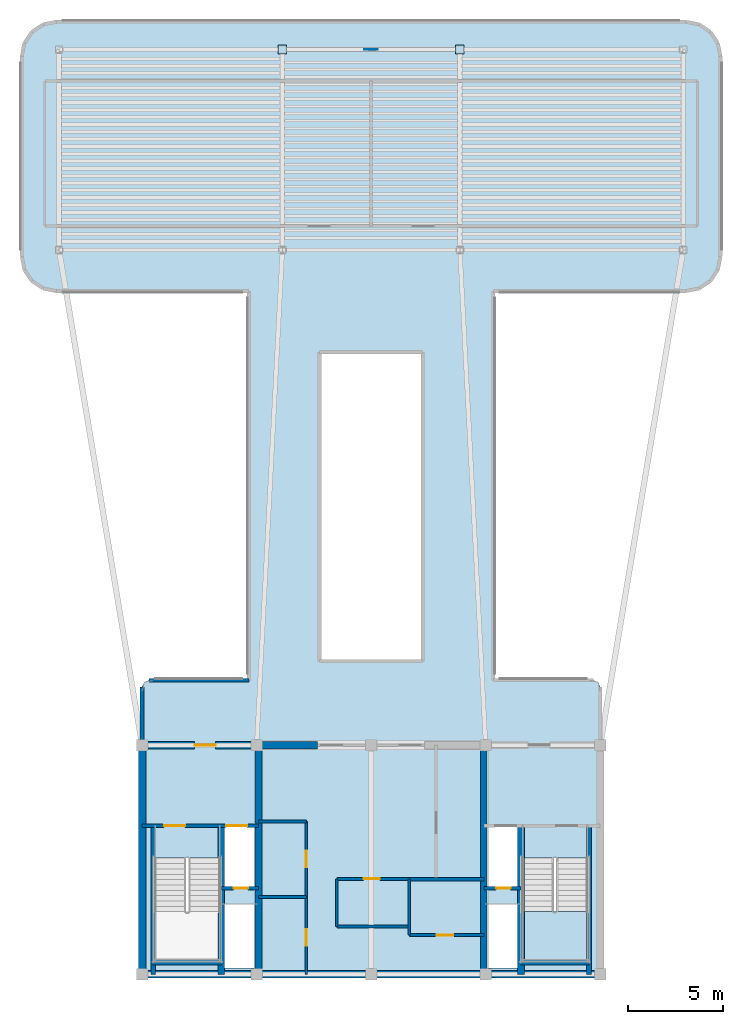
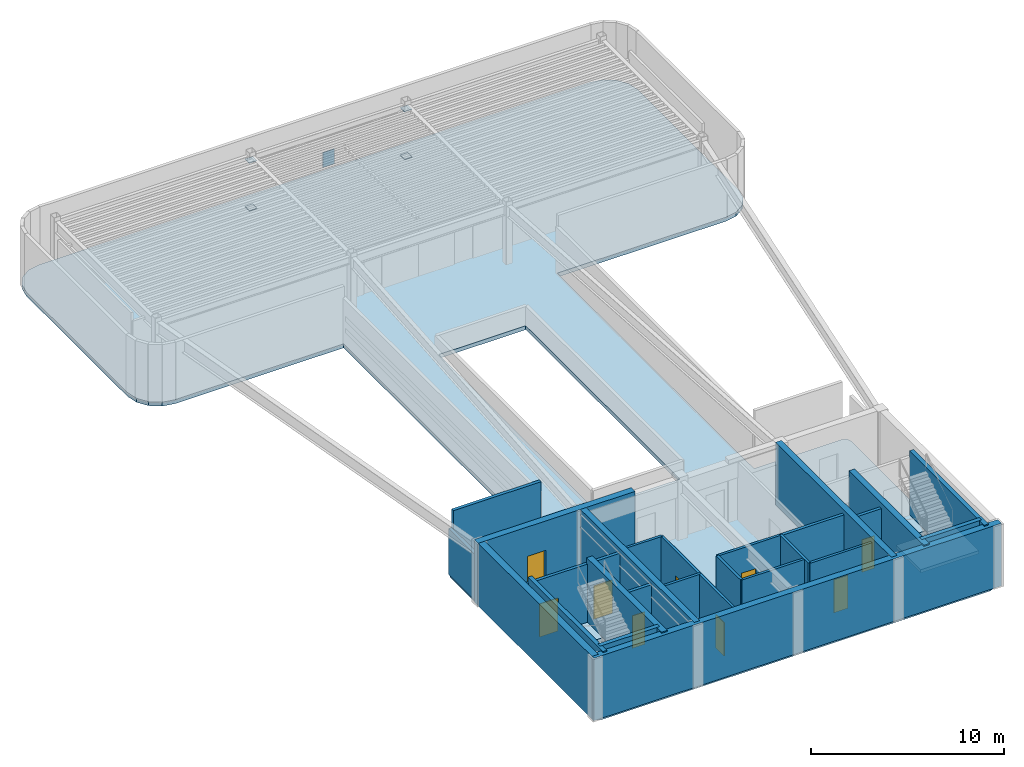
# One storey, part 2 of 6: 25 walls, 9 doors, 5 plates, 2 slabs, 9 openings, 1 element without a shape of its own.
"""IFC4 building model written with IfcOpenShell, lengths in metres."""

from ifc_helpers import new_model, si_unit, direction, frame, frame_2d, origin, origin_2d, place, context, subcontext, project, spatial, polyline, rectangle, outline, extrude, source, transform, mapped, material, layer, layer_set, type_object, element, fill, aggregate, save


model = new_model("IFC4")

# Units and contexts
model_context = context("Model", 3, precision=1e-05, world=origin(), true_north=direction((0.0, 1.0)))
body_context = subcontext(model_context, "Body", "Model", "MODEL_VIEW")
ifc_project = project(units=[si_unit("LENGTHUNIT", "METRE"), si_unit("AREAUNIT", "SQUARE_METRE"), si_unit("VOLUMEUNIT", "CUBIC_METRE"), si_unit("PLANEANGLEUNIT", "RADIAN"), si_unit("MASSUNIT", "GRAM", prefix="KILO")], contexts=[model_context])

# Site, building, storey
site_placement = place(None, origin())
site = spatial("IfcSite", under=ifc_project, at=site_placement, CompositionType="ELEMENT")
building_placement = place(site_placement, origin())
building = spatial("IfcBuilding", under=site, at=building_placement, Name="Brelvock Crest Care Tower", CompositionType="ELEMENT")
storey_placement = place(building_placement, frame((0.0, 0.0, 299.8798828125)))
storey = spatial("IfcBuildingStorey", under=building, at=storey_placement, Name="L76", CompositionType="ELEMENT", Elevation=299.8798828125)

# Slab
ifc_material_1 = material(Name="Concrete N50 (50 MPa)", Category="concrete")
ifc_layer_1 = layer(ifc_material_1, 0.25, Name="SLB-FL3")
ifc_layer_set_1 = layer_set([ifc_layer_1], Name="Concrete N50 (50 MPa)")
slab_type_1 = type_object("IfcSlabType", Name="SLB-FL3", PredefinedType="FLOOR", material=ifc_layer_set_1)
slab_1_placement = place(storey_placement, frame((0.0, 0.0, -0.25)))
element("IfcSlab", 1, at=slab_1_placement, inside=storey, type_object=slab_type_1, Name="L76 Main Structural Slab", PredefinedType="FLOOR", context=body_context, shape_type="SweptSolid", body=[
    extrude(outline(polyline([(42.39990234375, 21.39990234375), (42.39990234375, 41.800048828125), (52.5, 41.800048828125), (53.188720703125, 41.93701171875), (53.772705078125, 42.3271484375), (54.1630859375, 42.9111328125), (54.300048828125, 43.60009765625), (54.300048828125, 54.10009765625), (54.1630859375, 54.788818359375), (53.772705078125, 55.372802734375), (53.188720703125, 55.762939453125), (52.5, 55.89990234375), (19.5, 55.89990234375), (18.811279296875, 55.762939453125), (18.227294921875, 55.372802734375), (17.8369140625, 54.788818359375), (17.699951171875, 54.10009765625), (17.699951171875, 43.60009765625), (17.8369140625, 42.9111328125), (18.227294921875, 42.3271484375), (18.811279296875, 41.93701171875), (19.5, 41.800048828125), (29.60009765625, 41.800048828125), (29.60009765625, 21.39990234375), (24.35009765625, 21.39990234375), (24.1025390625, 21.297607421875), (24.0, 21.050048828125), (24.0, 6.35009765625), (24.1025390625, 6.1025390625), (24.35009765625, 6.0), (47.64990234375, 6.0), (47.8974609375, 6.1025390625), (48.0, 6.35009765625), (48.0, 21.050048828125), (47.8974609375, 21.297607421875), (47.64990234375, 21.39990234375), (42.39990234375, 21.39990234375)]), holes=[polyline([(28.239990234375, 10.580078125), (29.97998046875, 10.580078125), (29.97998046875, 13.739990234375), (28.239990234375, 13.739990234375), (28.239990234375, 10.580078125)]), polyline([(42.02001953125, 10.580078125), (43.760009765625, 10.580078125), (43.760009765625, 13.739990234375), (42.02001953125, 13.739990234375), (42.02001953125, 10.580078125)]), polyline([(28.239990234375, 6.340087890625), (29.97998046875, 6.340087890625), (29.97998046875, 9.64990234375), (28.239990234375, 9.64990234375), (28.239990234375, 6.340087890625)]), polyline([(24.6298828125, 12.080078125), (24.6298828125, 6.699951171875), (28.110107421875, 6.699951171875), (28.110107421875, 12.080078125), (24.6298828125, 12.080078125)]), polyline([(43.889892578125, 12.080078125), (43.889892578125, 6.699951171875), (47.3701171875, 6.699951171875), (47.3701171875, 12.080078125), (43.889892578125, 12.080078125)]), polyline([(42.02001953125, 6.340087890625), (43.760009765625, 6.340087890625), (43.760009765625, 9.64990234375), (42.02001953125, 9.64990234375), (42.02001953125, 6.340087890625)]), polyline([(33.39990234375, 22.5), (38.60009765625, 22.5), (38.60009765625, 38.5), (33.39990234375, 38.5), (33.39990234375, 22.5)])]), origin(), (0.0, 0.0, 1.0), 0.25),
])

# Stair, slab
ifc_material_2 = material(Name="Concrete N40 (40 MPa)", Category="concrete")
stair_type = type_object("IfcStairType", Name="ST-CORE1", PredefinedType="HALF_TURN_STAIR", material=ifc_material_2)
stair_placement = place(storey_placement, origin())
stair = element("IfcStair", 2, at=stair_placement, inside=storey, type_object=stair_type, Name="L76 Fire-Isolated Core Stair ST-2", PredefinedType="HALF_TURN_STAIR")
ifc_layer_2 = layer(ifc_material_2, 0.199951171875, Name="STL-1")
ifc_layer_set_2 = layer_set([ifc_layer_2], Name="Concrete N40 (40 MPa)")
slab_type_2 = type_object("IfcSlabType", Name="STL-1", PredefinedType="LANDING", material=ifc_layer_set_2)
slab_2_placement = place(storey_placement, frame((0.0, 0.0, 1.780029296875)))
slab_2 = element("IfcSlab", 3, at=slab_2_placement, type_object=slab_type_2, Name="ST-2 landing 1", PredefinedType="LANDING", context=body_context, shape_type="SweptSolid", body=[
    extrude(outline(polyline([(43.889892578125, 9.280029296875), (43.889892578125, 6.699951171875), (47.3701171875, 6.699951171875), (47.3701171875, 9.280029296875), (43.889892578125, 9.280029296875)])), origin(), (0.0, 0.0, 1.0), 0.2001953125),
])
aggregate(stair, [slab_2])

# Plates
ifc_material_3 = material(Name="Steel Grade 350", Category="steel")
plate_type_1 = type_object("IfcPlateType", Name="PLT-EC3", PredefinedType="USERDEFINED", material=ifc_material_3)
shared_shape_1 = source(origin(), body_context, "Body", "SweptSolid", [
    extrude(rectangle(XDim=0.449951171875, YDim=0.449951171875, at=origin_2d()), origin(), (0.0, 0.0, 1.0), 0.02490234375),
])
for number, where, z_axis, x_axis, name in (
    (4, (31.35009765625, 54.449951171875, 0.337646484375), (0.0, 0.0, 1.0), (1.0, 0.0, 0.0), "PLT-WPC1-L76"),
    (5, (40.64990234375, 54.449951171875, 0.337646484375), (0.0, 0.0, 1.0), (1.0, 0.0, 0.0), "PLT-WPC2-L76"),
    (6, (40.64990234375, 54.449951171875, 3.34765625), (0.0, 0.0, 1.0), (1.0, 0.0, 0.0), "PLT-WPC3-L76"),
    (7, (31.35009765625, 54.449951171875, 3.34765625), (0.0, 0.0, 1.0), (1.0, 0.0, 0.0), "PLT-WPC4-L76"),
):
    element("IfcPlate", number, at=place(storey_placement, frame(where, z_axis=z_axis, x_axis=x_axis)), inside=storey, type_object=plate_type_1, Name=name, ObjectType="FLANGE_PLATE", PredefinedType="USERDEFINED", context=body_context, shape_type="MappedRepresentation", body=[
        mapped(shared_shape_1, transform((0.0, 0.0, 0.0), x_axis=(1.0, 0.0, 0.0), y_axis=(0.0, 1.0, 0.0), z_axis=(0.0, 0.0, 1.0), scale=1.0)),
    ])
plate_type_2 = type_object("IfcPlateType", Name="PLT-WPN1", PredefinedType="USERDEFINED", material=ifc_material_3)
shared_shape_2 = source(origin(), body_context, "Body", "SweptSolid", [
    extrude(rectangle(XDim=0.699951171875, YDim=0.031982421875, at=origin_2d()), origin(), (0.0, 0.0, 1.0), 0.949951171875),
])
plate_placement = place(storey_placement, frame((36.0, 54.449951171875, 1.38037109375), z_axis=(0.0, 0.0, 1.0), x_axis=(1.0, 0.0, 0.0)))
element("IfcPlate", 8, at=plate_placement, inside=storey, type_object=plate_type_2, Name="PLT-WPN-L76", ObjectType="GUSSET", PredefinedType="USERDEFINED", context=body_context, shape_type="MappedRepresentation", body=[
    mapped(shared_shape_2, transform((0.0, 0.0, 0.0), x_axis=(1.0, 0.0, 0.0), y_axis=(0.0, 1.0, 0.0), z_axis=(0.0, 0.0, 1.0), scale=1.0)),
])

# Walls
ifc_material_4 = material(Name="Concrete S65 (65 MPa)", Category="concrete")
ifc_layer_3 = layer(ifc_material_4, 0.39990234375, Name="WL-CS4")
ifc_layer_set_3 = layer_set([ifc_layer_3], Name="Concrete S65 (65 MPa)")
wall_type_1 = type_object("IfcWallType", Name="WL-CS4", PredefinedType="SHEAR", material=ifc_layer_set_3)
wall_1_placement = place(storey_placement, frame((48.199951171875, 6.0, 0.0), z_axis=(0.0, 0.0, 1.0), x_axis=(-1.0, 0.0, 0.0)))
element("IfcWall", 9, at=wall_1_placement, inside=storey, type_object=wall_type_1, Name="L76 Core South Shear Wall", PredefinedType="SHEAR", context=body_context, shape_type="SweptSolid", body=[
    extrude(rectangle(XDim=24.39990234375, YDim=0.39990234375, at=frame_2d((12.199951171875, 0.0))), origin(), (0.0, 0.0, 1.0), 3.960205078125),
])
wall_2_placement = place(storey_placement, frame((24.0, 6.0, 0.0), z_axis=(0.0, 0.0, 1.0), x_axis=(0.0, 1.0, 0.0)))
element("IfcWall", 10, at=wall_2_placement, inside=storey, type_object=wall_type_1, Name="L76 Core West Shear Wall", PredefinedType="SHEAR", context=body_context, shape_type="SweptSolid", body=[
    extrude(rectangle(XDim=12.0, YDim=0.39990234375, at=frame_2d((6.0, 0.0))), origin(), (0.0, 0.0, 1.0), 3.960205078125),
])

# Wall, opening, door
wall_3_placement = place(storey_placement, frame((23.800048828125, 18.0, 0.0), z_axis=(0.0, 0.0, 1.0), x_axis=(1.0, 0.0, 0.0)))
wall_3 = element("IfcWall", 11, at=wall_3_placement, inside=storey, type_object=wall_type_1, Name="L76 Core North-West Shear Wall", PredefinedType="SHEAR", context=body_context, shape_type="SweptSolid", body=[
    extrude(rectangle(XDim=9.39990234375, YDim=0.39990234375, at=frame_2d((4.699951171875, 0.0))), origin(), (0.0, 0.0, 1.0), 3.960205078125),
])
opening_1_placement = place(wall_3_placement, frame((2.949951171875, 0.0, 0.0)))
opening_1 = element("IfcOpeningElement", 12, at=opening_1_placement, cuts=wall_3, Name="Opening FD-1", PredefinedType="OPENING", context=body_context, shape_type="SweptSolid", body=[
    extrude(rectangle(XDim=1.10009765625, YDim=2.10009765625, at=origin_2d()), frame((0.550048828125, 0.2099609375, 1.050048828125), z_axis=(0.0, -1.0, 0.0), x_axis=(1.0, 0.0, 0.0)), (0.0, 0.0, 1.0), 0.419921875),
])
door_type_1 = type_object("IfcDoorType", Name="DR-FFL1", OperationType="NOTDEFINED", PredefinedType="DOOR", material=ifc_material_3)
shared_shape_3 = source(origin(), body_context, "Body", "SweptSolid", [
    extrude(rectangle(XDim=1.10009765625, YDim=2.10009765625, at=origin_2d()), frame((0.550048828125, 0.02490234375, 1.050048828125), z_axis=(0.0, -1.0, 0.0), x_axis=(1.0, 0.0, 0.0)), (0.0, 0.0, 1.0), 0.050048828125),
])
door_1_placement = place(opening_1_placement, origin())
door_1 = element("IfcDoor", 13, at=door_1_placement, inside=storey, type_object=door_type_1, Name="L76 Firefighting Lobby FFL-1 Exit Door", OperationType="SINGLE_SWING_LEFT", OverallHeight=2.10009765625, OverallWidth=1.10009765625, PredefinedType="DOOR", context=body_context, shape_type="MappedRepresentation", body=[
    mapped(shared_shape_3, transform((0.0, 0.0, 0.0), x_axis=(1.0, 0.0, 0.0), y_axis=(0.0, 1.0, 0.0), z_axis=(0.0, 0.0, 1.0), scale=1.0)),
])
fill(opening_1, door_1)

# Walls
ifc_material_5 = material(Name="Concrete S80 (80 MPa)", Category="concrete")
ifc_layer_4 = layer(ifc_material_5, 0.35009765625, Name="WL-CS5")
ifc_layer_set_4 = layer_set([ifc_layer_4], Name="Concrete S80 (80 MPa)")
wall_type_2 = type_object("IfcWallType", Name="WL-CS5", PredefinedType="SHEAR", material=ifc_layer_set_4)
for number, where, z_axis, x_axis, name in (
    (14, (30.10009765625, 6.0, 0.0), (0.0, 0.0, 1.0), (0.0, 1.0, 0.0), "L76 Core Internal Web Wall West"),
    (15, (41.89990234375, 18.0, 0.0), (0.0, 0.0, 1.0), (0.0, -1.0, 0.0), "L76 Core Internal Web Wall East"),
):
    element("IfcWall", number, at=place(storey_placement, frame(where, z_axis=z_axis, x_axis=x_axis)), inside=storey, type_object=wall_type_2, Name=name, PredefinedType="SHEAR", context=body_context, shape_type="SweptSolid", body=[
        extrude(rectangle(XDim=12.0, YDim=0.35009765625, at=frame_2d((6.0, 0.0))), origin(), (0.0, 0.0, 1.0), 3.960205078125),
    ])
for number, where, z_axis, x_axis, name in (
    (16, (28.14990234375, 6.0, 0.0), (0.0, 0.0, 1.0), (0.0, 1.0, 0.0), "L76 Core Stair ST-1 East Shear Wall"),
    (17, (43.85009765625, 6.0, 0.0), (0.0, 0.0, 1.0), (0.0, 1.0, 0.0), "L76 Core Stair ST-2 West Shear Wall"),
):
    element("IfcWall", number, at=place(storey_placement, frame(where, z_axis=z_axis, x_axis=x_axis)), inside=storey, type_object=wall_type_2, Name=name, PredefinedType="SHEAR", context=body_context, shape_type="SweptSolid", body=[
        extrude(rectangle(XDim=7.780029296875, YDim=0.35009765625, at=frame_2d((3.89013671875, 0.0))), origin(), (0.0, 0.0, 1.0), 4.030029296875),
    ])
ifc_layer_5 = layer(ifc_material_5, 0.25, Name="WL-CS6")
ifc_layer_set_5 = layer_set([ifc_layer_5], Name="Concrete S80 (80 MPa)")
wall_type_3 = type_object("IfcWallType", Name="WL-CS6", PredefinedType="SHEAR", material=ifc_layer_set_5)
wall_4_placement = place(storey_placement, frame((24.580078125, 6.0, 0.0), z_axis=(0.0, 0.0, 1.0), x_axis=(0.0, 1.0, 0.0)))
element("IfcWall", 18, at=wall_4_placement, inside=storey, type_object=wall_type_3, Name="L76 Core Stair ST-1 West Shear Wall", PredefinedType="SHEAR", context=body_context, shape_type="SweptSolid", body=[
    extrude(rectangle(XDim=7.780029296875, YDim=0.25, at=frame_2d((3.89013671875, 0.0))), origin(), (0.0, 0.0, 1.0), 4.030029296875),
])
wall_5_placement = place(storey_placement, frame((24.580078125, 6.6201171875, 0.0), z_axis=(0.0, 0.0, 1.0), x_axis=(1.0, 0.0, 0.0)))
element("IfcWall", 19, at=wall_5_placement, inside=storey, type_object=wall_type_3, Name="L76 Core Stair ST-1 South Shear Wall", PredefinedType="SHEAR", context=body_context, shape_type="SweptSolid", body=[
    extrude(rectangle(XDim=3.56982421875, YDim=0.25, at=frame_2d((1.784912109375, 0.0))), origin(), (0.0, 0.0, 1.0), 4.030029296875),
])
wall_6_placement = place(storey_placement, frame((47.419921875, 6.0, 0.0), z_axis=(0.0, 0.0, 1.0), x_axis=(0.0, 1.0, 0.0)))
element("IfcWall", 20, at=wall_6_placement, inside=storey, type_object=wall_type_3, Name="L76 Core Stair ST-2 East Shear Wall", PredefinedType="SHEAR", context=body_context, shape_type="SweptSolid", body=[
    extrude(rectangle(XDim=7.780029296875, YDim=0.25, at=frame_2d((3.89013671875, 0.0))), origin(), (0.0, 0.0, 1.0), 4.030029296875),
])
wall_7_placement = place(storey_placement, frame((43.85009765625, 6.6201171875, 0.0), z_axis=(0.0, 0.0, 1.0), x_axis=(1.0, 0.0, 0.0)))
element("IfcWall", 21, at=wall_7_placement, inside=storey, type_object=wall_type_3, Name="L76 Core Stair ST-2 South Shear Wall", PredefinedType="SHEAR", context=body_context, shape_type="SweptSolid", body=[
    extrude(rectangle(XDim=3.56982421875, YDim=0.25, at=frame_2d((1.784912109375, 0.0))), origin(), (0.0, 0.0, 1.0), 4.030029296875),
])
ifc_material_6 = material(Name="Precast concrete N40 (40 MPa)", Category="concrete")
ifc_layer_6 = layer(ifc_material_6, 0.195068359375, Name="WL-EX3")
ifc_layer_set_6 = layer_set([ifc_layer_6], Name="Precast concrete N40 (40 MPa)")
wall_type_4 = type_object("IfcWallType", Name="WL-EX3", PredefinedType="SOLIDWALL", material=ifc_layer_set_6)
wall_8_placement = place(storey_placement, frame((24.0, 18.280029296875, 0.0), z_axis=(0.0, 0.0, 1.0), x_axis=(0.0, 1.0, 0.0)))
element("IfcWall", 22, at=wall_8_placement, inside=storey, type_object=wall_type_4, Name="L76 Crown and Plant Cladding Wall 08", PredefinedType="SOLIDWALL", context=body_context, shape_type="SweptSolid", body=[
    extrude(rectangle(XDim=2.77001953125, YDim=0.195068359375, at=frame_2d((1.385009765625, 0.0))), origin(), (0.0, 0.0, 1.0), 2.898193359375),
])
wall_9_placement = place(storey_placement, frame((24.35009765625, 21.39990234375, 0.0), z_axis=(0.0, 0.0, 1.0), x_axis=(1.0, 0.0, 0.0)))
element("IfcWall", 23, at=wall_9_placement, inside=storey, type_object=wall_type_4, Name="L76 Crown and Plant Cladding Wall 11", PredefinedType="SOLIDWALL", context=body_context, shape_type="SweptSolid", body=[
    extrude(rectangle(XDim=5.25, YDim=0.195068359375, at=frame_2d((2.625, 0.0))), origin(), (0.0, 0.0, 1.0), 3.710205078125),
])
ifc_material_7 = material(Name="Masonry Blockwork Acoustic Partition", Category="masonry")
ifc_layer_7 = layer(ifc_material_7, 0.14990234375, Name="WL-INT1")
ifc_layer_set_7 = layer_set([ifc_layer_7], Name="Masonry Blockwork Acoustic Partition")
wall_type_5 = type_object("IfcWallType", Name="WL-INT1", PredefinedType="PARTITIONING", material=ifc_layer_set_7)
wall_10_placement = place(storey_placement, frame((30.10009765625, 14.0, 0.0), z_axis=(0.0, 0.0, 1.0), x_axis=(1.0, 0.0, 0.0)))
element("IfcWall", 24, at=wall_10_placement, inside=storey, type_object=wall_type_5, Name="L76 Interior Wall WL-CRCL-N1-L76", PredefinedType="PARTITIONING", context=body_context, shape_type="SweptSolid", body=[
    extrude(rectangle(XDim=2.5, YDim=0.14990234375, at=frame_2d((1.25, 0.0))), origin(), (0.0, 0.0, 1.0), 3.68017578125),
])
wall_11_placement = place(storey_placement, frame((34.199951171875, 8.5, 0.0), z_axis=(0.0, 0.0, 1.0), x_axis=(1.0, 0.0, 0.0)))
element("IfcWall", 25, at=wall_11_placement, inside=storey, type_object=wall_type_5, Name="L76 Interior Wall WL-CRCM-SW-L76", PredefinedType="PARTITIONING", context=body_context, shape_type="SweptSolid", body=[
    extrude(rectangle(XDim=3.800048828125, YDim=0.14990234375, at=frame_2d((1.89990234375, 0.0))), origin(), (0.0, 0.0, 1.0), 3.68017578125),
])

# Wall, opening, door
wall_12_placement = place(storey_placement, frame((38.0, 8.050048828125, 0.0), z_axis=(0.0, 0.0, 1.0), x_axis=(1.0, 0.0, 0.0)))
wall_12 = element("IfcWall", 26, at=wall_12_placement, inside=storey, type_object=wall_type_5, Name="L76 Interior Wall WL-CRCM-SE-L76", PredefinedType="PARTITIONING", context=body_context, shape_type="SweptSolid", body=[
    extrude(rectangle(XDim=3.89990234375, YDim=0.14990234375, at=frame_2d((1.949951171875, 0.0))), origin(), (0.0, 0.0, 1.0), 3.68017578125),
])
opening_2_placement = place(wall_12_placement, frame((1.449951171875, 0.0, 0.0)))
opening_2 = element("IfcOpeningElement", 27, at=opening_2_placement, cuts=wall_12, Name="Opening ID-1", PredefinedType="OPENING", context=body_context, shape_type="SweptSolid", body=[
    extrude(rectangle(XDim=0.860107421875, YDim=2.10009765625, at=origin_2d()), frame((0.43017578125, 0.0849609375, 1.050048828125), z_axis=(0.0, -1.0, 0.0), x_axis=(1.0, 0.0, 0.0)), (0.0, 0.0, 1.0), 0.169921875),
])
ifc_material_8 = material(Name="Engineered Hardwood Timber", Category="wood")
door_type_2 = type_object("IfcDoorType", Name="DR-INT1", OperationType="NOTDEFINED", PredefinedType="DOOR", material=ifc_material_8)
shared_shape_4 = source(origin(), body_context, "Body", "SweptSolid", [
    extrude(rectangle(XDim=0.860107421875, YDim=2.10009765625, at=origin_2d()), frame((0.43017578125, 0.02490234375, 1.050048828125), z_axis=(0.0, -1.0, 0.0), x_axis=(1.0, 0.0, 0.0)), (0.0, 0.0, 1.0), 0.050048828125),
])
door_2_placement = place(opening_2_placement, origin())
door_2 = element("IfcDoor", 28, at=door_2_placement, inside=storey, type_object=door_type_2, Name="DR-CRCM2-L76", OperationType="SINGLE_SWING_LEFT", OverallHeight=2.10009765625, OverallWidth=0.860107421875, PredefinedType="DOOR", context=body_context, shape_type="MappedRepresentation", body=[
    mapped(shared_shape_4, transform((0.0, 0.0, 0.0), x_axis=(1.0, 0.0, 0.0), y_axis=(0.0, 1.0, 0.0), z_axis=(0.0, 0.0, 1.0), scale=1.0)),
])
fill(opening_2, door_2)

# Walls
wall_13_placement = place(storey_placement, frame((34.199951171875, 8.5, 0.0), z_axis=(0.0, 0.0, 1.0), x_axis=(0.0, 1.0, 0.0)))
element("IfcWall", 29, at=wall_13_placement, inside=storey, type_object=wall_type_5, Name="L76 Interior Wall WL-CRCM-W-L76", PredefinedType="PARTITIONING", context=body_context, shape_type="SweptSolid", body=[
    extrude(rectangle(XDim=2.5, YDim=0.14990234375, at=frame_2d((1.25, 0.0))), origin(), (0.0, 0.0, 1.0), 3.68017578125),
])
wall_14_placement = place(storey_placement, frame((38.0, 8.050048828125, 0.0), z_axis=(0.0, 0.0, 1.0), x_axis=(0.0, 1.0, 0.0)))
element("IfcWall", 30, at=wall_14_placement, inside=storey, type_object=wall_type_5, Name="L76 Interior Wall WL-CRCM-V-L76", PredefinedType="PARTITIONING", context=body_context, shape_type="SweptSolid", body=[
    extrude(rectangle(XDim=2.949951171875, YDim=0.14990234375, at=frame_2d((1.47509765625, 0.0))), origin(), (0.0, 0.0, 1.0), 3.68017578125),
])

# Wall, opening, door
wall_15_placement = place(storey_placement, frame((34.199951171875, 11.0, 0.0), z_axis=(0.0, 0.0, 1.0), x_axis=(1.0, 0.0, 0.0)))
wall_15 = element("IfcWall", 31, at=wall_15_placement, inside=storey, type_object=wall_type_5, Name="L76 Interior Wall WL-CRCM-NW-L76", PredefinedType="PARTITIONING", context=body_context, shape_type="SweptSolid", body=[
    extrude(rectangle(XDim=3.800048828125, YDim=0.14990234375, at=frame_2d((1.89990234375, 0.0))), origin(), (0.0, 0.0, 1.0), 3.68017578125),
])
opening_3_placement = place(wall_15_placement, frame((1.39990234375, 0.0, 0.0)))
opening_3 = element("IfcOpeningElement", 32, at=opening_3_placement, cuts=wall_15, Name="Opening ID-1", PredefinedType="OPENING", context=body_context, shape_type="SweptSolid", body=[
    extrude(rectangle(XDim=0.860107421875, YDim=2.10009765625, at=origin_2d()), frame((0.43017578125, 0.0849609375, 1.050048828125), z_axis=(0.0, -1.0, 0.0), x_axis=(1.0, 0.0, 0.0)), (0.0, 0.0, 1.0), 0.169921875),
])
door_3_placement = place(opening_3_placement, origin())
door_3 = element("IfcDoor", 33, at=door_3_placement, inside=storey, type_object=door_type_2, Name="DR-CRCM1-L76", OperationType="SINGLE_SWING_LEFT", OverallHeight=2.10009765625, OverallWidth=0.860107421875, PredefinedType="DOOR", context=body_context, shape_type="MappedRepresentation", body=[
    mapped(shared_shape_4, transform((0.0, 0.0, 0.0), x_axis=(1.0, 0.0, 0.0), y_axis=(0.0, 1.0, 0.0), z_axis=(0.0, 0.0, 1.0), scale=1.0)),
])
fill(opening_3, door_3)

# Wall
wall_16_placement = place(storey_placement, frame((30.10009765625, 10.050048828125, 0.0), z_axis=(0.0, 0.0, 1.0), x_axis=(1.0, 0.0, 0.0)))
element("IfcWall", 34, at=wall_16_placement, inside=storey, type_object=wall_type_5, Name="L76 Interior Wall WL-CSBW-S1-L76", PredefinedType="PARTITIONING", context=body_context, shape_type="SweptSolid", body=[
    extrude(rectangle(XDim=2.5, YDim=0.14990234375, at=frame_2d((1.25, 0.0))), origin(), (0.0, 0.0, 1.0), 3.68017578125),
])

# Wall, openings, doors
wall_17_placement = place(storey_placement, frame((32.60009765625, 6.0, 0.0), z_axis=(0.0, 0.0, 1.0), x_axis=(0.0, 1.0, 0.0)))
wall_17 = element("IfcWall", 35, at=wall_17_placement, inside=storey, type_object=wall_type_5, Name="L76 Interior Wall WL-CRCL-E-L76", PredefinedType="PARTITIONING", context=body_context, shape_type="SweptSolid", body=[
    extrude(rectangle(XDim=8.0, YDim=0.14990234375, at=frame_2d((4.0, 0.0))), origin(), (0.0, 0.0, 1.0), 3.68017578125),
])
opening_4_placement = place(wall_17_placement, frame((1.5, 0.0, 0.0)))
opening_4 = element("IfcOpeningElement", 36, at=opening_4_placement, cuts=wall_17, Name="Opening ID-1", PredefinedType="OPENING", context=body_context, shape_type="SweptSolid", body=[
    extrude(rectangle(XDim=0.860107421875, YDim=2.10009765625, at=origin_2d()), frame((0.43017578125, 0.0849609375, 1.050048828125), z_axis=(0.0, -1.0, 0.0), x_axis=(1.0, 0.0, 0.0)), (0.0, 0.0, 1.0), 0.169921875),
])
opening_5_placement = place(wall_17_placement, frame((5.60009765625, 0.0, 0.0)))
opening_5 = element("IfcOpeningElement", 37, at=opening_5_placement, cuts=wall_17, Name="Opening ID-1", PredefinedType="OPENING", context=body_context, shape_type="SweptSolid", body=[
    extrude(rectangle(XDim=0.860107421875, YDim=2.10009765625, at=origin_2d()), frame((0.43017578125, 0.0849609375, 1.050048828125), z_axis=(0.0, -1.0, 0.0), x_axis=(1.0, 0.0, 0.0)), (0.0, 0.0, 1.0), 0.169921875),
])
door_4_placement = place(opening_4_placement, origin())
door_4 = element("IfcDoor", 38, at=door_4_placement, inside=storey, type_object=door_type_2, Name="DR-CSBW-L76", OperationType="SINGLE_SWING_LEFT", OverallHeight=2.10009765625, OverallWidth=0.860107421875, PredefinedType="DOOR", context=body_context, shape_type="MappedRepresentation", body=[
    mapped(shared_shape_4, transform((0.0, 0.0, 0.0), x_axis=(1.0, 0.0, 0.0), y_axis=(0.0, 1.0, 0.0), z_axis=(0.0, 0.0, 1.0), scale=1.0)),
])
fill(opening_4, door_4)
door_5_placement = place(opening_5_placement, origin())
door_5 = element("IfcDoor", 39, at=door_5_placement, inside=storey, type_object=door_type_2, Name="DR-CRCL1-L76", OperationType="SINGLE_SWING_LEFT", OverallHeight=2.10009765625, OverallWidth=0.860107421875, PredefinedType="DOOR", context=body_context, shape_type="MappedRepresentation", body=[
    mapped(shared_shape_4, transform((0.0, 0.0, 0.0), x_axis=(1.0, 0.0, 0.0), y_axis=(0.0, 1.0, 0.0), z_axis=(0.0, 0.0, 1.0), scale=1.0)),
])
fill(opening_5, door_5)

# Wall
ifc_layer_8 = layer(ifc_material_7, 0.179931640625, Name="WL-SHF1")
ifc_layer_set_8 = layer_set([ifc_layer_8], Name="Masonry Blockwork Acoustic Partition")
wall_type_6 = type_object("IfcWallType", Name="WL-SHF1", PredefinedType="PARTITIONING", material=ifc_layer_set_8)
wall_18_placement = place(storey_placement, frame((38.0, 10.97998046875, 0.0), z_axis=(0.0, 0.0, 1.0), x_axis=(1.0, 0.0, 0.0)))
element("IfcWall", 40, at=wall_18_placement, inside=storey, type_object=wall_type_6, Name="L76 Interior Wall WL-CRCM-NE-L76", PredefinedType="PARTITIONING", context=body_context, shape_type="SweptSolid", body=[
    extrude(rectangle(XDim=3.89990234375, YDim=0.179931640625, at=frame_2d((1.949951171875, 0.0))), origin(), (0.0, 0.0, 1.0), 3.68017578125),
])

# Wall, openings, doors
wall_19_placement = place(storey_placement, frame((24.0, 13.780029296875, 0.0), z_axis=(0.0, 0.0, 1.0), x_axis=(1.0, 0.0, 0.0)))
wall_19 = element("IfcWall", 41, at=wall_19_placement, inside=storey, type_object=wall_type_6, Name="L76 Interior Wall WL-ST1-N-L76", PredefinedType="PARTITIONING", context=body_context, shape_type="SweptSolid", body=[
    extrude(rectangle(XDim=6.10009765625, YDim=0.179931640625, at=frame_2d((3.050048828125, 0.0))), origin(), (0.0, 0.0, 1.0), 3.68017578125),
])
opening_6_placement = place(wall_19_placement, frame((1.14990234375, 0.0, 0.0)))
opening_6 = element("IfcOpeningElement", 42, at=opening_6_placement, cuts=wall_19, Name="Opening SD-1", PredefinedType="OPENING", context=body_context, shape_type="SweptSolid", body=[
    extrude(rectangle(XDim=1.10009765625, YDim=2.10009765625, at=origin_2d()), frame((0.550048828125, 0.10009765625, 1.050048828125), z_axis=(0.0, -1.0, 0.0), x_axis=(1.0, 0.0, 0.0)), (0.0, 0.0, 1.0), 0.199951171875),
])
opening_7_placement = place(wall_19_placement, frame((4.39990234375, 0.0, 0.0)))
opening_7 = element("IfcOpeningElement", 43, at=opening_7_placement, cuts=wall_19, Name="Opening LD", PredefinedType="OPENING", context=body_context, shape_type="SweptSolid", body=[
    extrude(rectangle(XDim=1.10009765625, YDim=2.10009765625, at=origin_2d()), frame((0.550048828125, 0.10009765625, 1.050048828125), z_axis=(0.0, -1.0, 0.0), x_axis=(1.0, 0.0, 0.0)), (0.0, 0.0, 1.0), 0.199951171875),
])
door_type_3 = type_object("IfcDoorType", Name="DR-ST1", OperationType="NOTDEFINED", PredefinedType="DOOR", material=ifc_material_3)
shared_shape_5 = source(origin(), body_context, "Body", "SweptSolid", [
    extrude(rectangle(XDim=1.10009765625, YDim=2.10009765625, at=origin_2d()), frame((0.550048828125, 0.02490234375, 1.050048828125), z_axis=(0.0, -1.0, 0.0), x_axis=(1.0, 0.0, 0.0)), (0.0, 0.0, 1.0), 0.050048828125),
])
door_6_placement = place(opening_6_placement, origin())
door_6 = element("IfcDoor", 44, at=door_6_placement, inside=storey, type_object=door_type_3, Name="L76 Fire Stair ST-1 Door", OperationType="SINGLE_SWING_LEFT", OverallHeight=2.10009765625, OverallWidth=1.10009765625, PredefinedType="DOOR", context=body_context, shape_type="MappedRepresentation", body=[
    mapped(shared_shape_5, transform((0.0, 0.0, 0.0), x_axis=(1.0, 0.0, 0.0), y_axis=(0.0, 1.0, 0.0), z_axis=(0.0, 0.0, 1.0), scale=1.0)),
])
fill(opening_6, door_6)
door_type_4 = type_object("IfcDoorType", Name="DR-LD1", OperationType="NOTDEFINED", PredefinedType="DOOR", material=ifc_material_3)
shared_shape_6 = source(origin(), body_context, "Body", "SweptSolid", [
    extrude(rectangle(XDim=1.10009765625, YDim=2.10009765625, at=origin_2d()), frame((0.550048828125, 0.02490234375, 1.050048828125), z_axis=(0.0, -1.0, 0.0), x_axis=(1.0, 0.0, 0.0)), (0.0, 0.0, 1.0), 0.050048828125),
])
door_7_placement = place(opening_7_placement, origin())
door_7 = element("IfcDoor", 45, at=door_7_placement, inside=storey, type_object=door_type_4, Name="L76 Firefighting Lift FFL-1 Landing Door", OperationType="SLIDING_TO_LEFT", OverallHeight=2.10009765625, OverallWidth=1.10009765625, PredefinedType="DOOR", context=body_context, shape_type="MappedRepresentation", body=[
    mapped(shared_shape_6, transform((0.0, 0.0, 0.0), x_axis=(1.0, 0.0, 0.0), y_axis=(0.0, 1.0, 0.0), z_axis=(0.0, 0.0, 1.0), scale=1.0)),
])
fill(opening_7, door_7)

# Wall, opening, door
wall_20_placement = place(storey_placement, frame((28.14990234375, 10.5, 0.0), z_axis=(0.0, 0.0, 1.0), x_axis=(1.0, 0.0, 0.0)))
wall_20 = element("IfcWall", 46, at=wall_20_placement, inside=storey, type_object=wall_type_6, Name="L76 Interior Wall WL-FFH1-S-L76", PredefinedType="PARTITIONING", context=body_context, shape_type="SweptSolid", body=[
    extrude(rectangle(XDim=1.9501953125, YDim=0.179931640625, at=frame_2d((0.97509765625, 0.0))), origin(), (0.0, 0.0, 1.0), 3.68017578125),
])
opening_8_placement = place(wall_20_placement, frame((0.64990234375, 0.0, 0.0)))
opening_8 = element("IfcOpeningElement", 47, at=opening_8_placement, cuts=wall_20, Name="Opening RD-1", PredefinedType="OPENING", context=body_context, shape_type="SweptSolid", body=[
    extrude(rectangle(XDim=0.760009765625, YDim=2.050048828125, at=origin_2d()), frame((0.3798828125, 0.10009765625, 1.02490234375), z_axis=(0.0, -1.0, 0.0), x_axis=(1.0, 0.0, 0.0)), (0.0, 0.0, 1.0), 0.199951171875),
])
door_type_5 = type_object("IfcDoorType", Name="DR-RIS1", OperationType="NOTDEFINED", PredefinedType="DOOR", material=ifc_material_3)
shared_shape_7 = source(origin(), body_context, "Body", "SweptSolid", [
    extrude(rectangle(XDim=0.760009765625, YDim=2.050048828125, at=origin_2d()), frame((0.3798828125, 0.02490234375, 1.02490234375), z_axis=(0.0, -1.0, 0.0), x_axis=(1.0, 0.0, 0.0)), (0.0, 0.0, 1.0), 0.050048828125),
])
door_8_placement = place(opening_8_placement, origin())
door_8 = element("IfcDoor", 48, at=door_8_placement, inside=storey, type_object=door_type_5, Name="L76 Wet Fire Riser Access Door", OperationType="SINGLE_SWING_LEFT", OverallHeight=2.050048828125, OverallWidth=0.760009765625, PredefinedType="DOOR", context=body_context, shape_type="MappedRepresentation", body=[
    mapped(shared_shape_7, transform((0.0, 0.0, 0.0), x_axis=(1.0, 0.0, 0.0), y_axis=(0.0, 1.0, 0.0), z_axis=(0.0, 0.0, 1.0), scale=1.0)),
])
fill(opening_8, door_8)

wall_21_placement = place(storey_placement, frame((41.89990234375, 10.5, 0.0), z_axis=(0.0, 0.0, 1.0), x_axis=(1.0, 0.0, 0.0)))
wall_21 = element("IfcWall", 49, at=wall_21_placement, inside=storey, type_object=wall_type_6, Name="L76 Interior Wall WL-FFH2-S-L76", PredefinedType="PARTITIONING", context=body_context, shape_type="SweptSolid", body=[
    extrude(rectangle(XDim=1.9501953125, YDim=0.179931640625, at=frame_2d((0.97509765625, 0.0))), origin(), (0.0, 0.0, 1.0), 3.68017578125),
])
opening_9_placement = place(wall_21_placement, frame((0.64990234375, 0.0, 0.0)))
opening_9 = element("IfcOpeningElement", 50, at=opening_9_placement, cuts=wall_21, Name="Opening RD-1", PredefinedType="OPENING", context=body_context, shape_type="SweptSolid", body=[
    extrude(rectangle(XDim=0.760009765625, YDim=2.050048828125, at=origin_2d()), frame((0.3798828125, 0.10009765625, 1.02490234375), z_axis=(0.0, -1.0, 0.0), x_axis=(1.0, 0.0, 0.0)), (0.0, 0.0, 1.0), 0.199951171875),
])
door_9_placement = place(opening_9_placement, origin())
door_9 = element("IfcDoor", 51, at=door_9_placement, inside=storey, type_object=door_type_5, Name="L76 East Riser Access Door", OperationType="SINGLE_SWING_RIGHT", OverallHeight=2.050048828125, OverallWidth=0.760009765625, PredefinedType="DOOR", context=body_context, shape_type="MappedRepresentation", body=[
    mapped(shared_shape_7, transform((0.0, 0.0, 0.0), x_axis=(1.0, 0.0, 0.0), y_axis=(0.0, 1.0, 0.0), z_axis=(0.0, 0.0, 1.0), scale=1.0)),
])
fill(opening_9, door_9)

save(model, "model.ifc")
